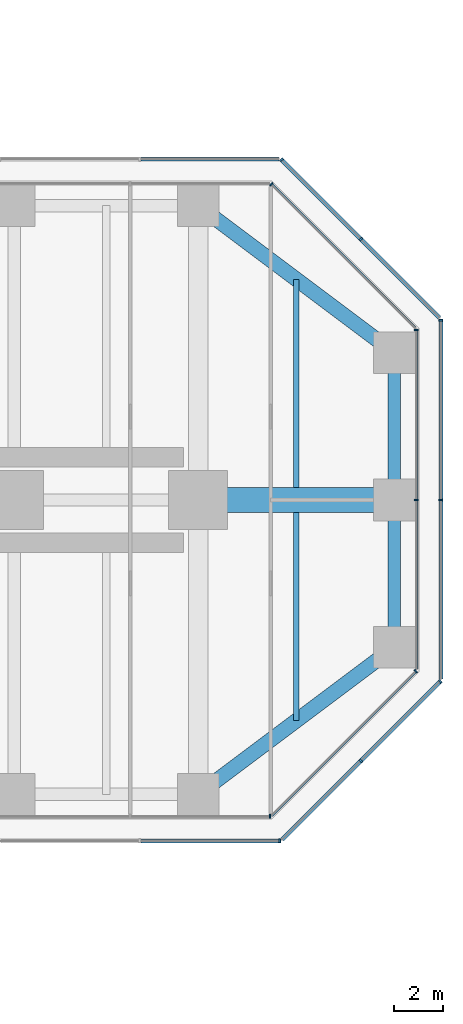
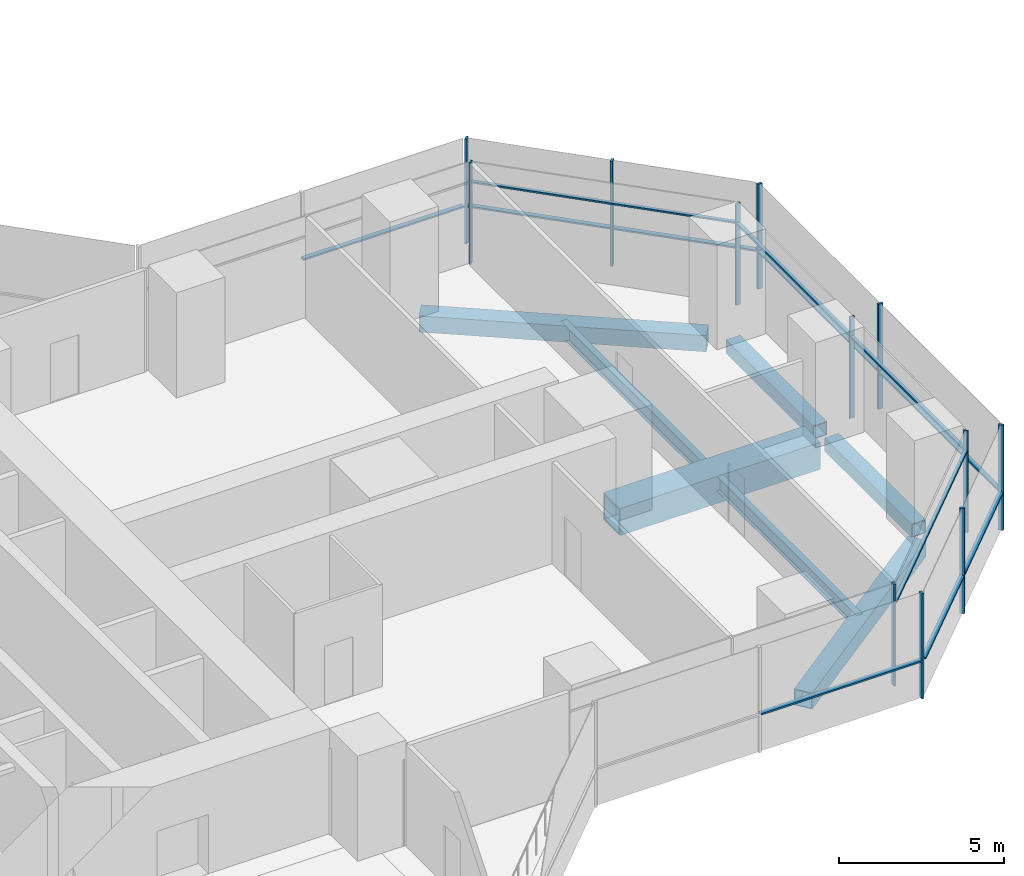
# One storey, part 12 of 22: 24 members, 7 beams, 9 elements without a shape of their own.
"""IFC4 building model written with IfcOpenShell, lengths in metres."""

from ifc_helpers import new_model, si_unit, direction, frame, origin, origin_2d, place, context, subcontext, project, spatial, rectangle, hollow_rectangle, i_section, extrude, material, material_profile, profile_set, type_object, element, aggregate, save


model = new_model("IFC4")

# Units and contexts
model_context = context("Model", 3, precision=1e-05, world=origin(), true_north=direction((0.0, 1.0)))
body_context = subcontext(model_context, "Body", "Model", "MODEL_VIEW")
ifc_project = project(units=[si_unit("LENGTHUNIT", "METRE"), si_unit("AREAUNIT", "SQUARE_METRE"), si_unit("VOLUMEUNIT", "CUBIC_METRE"), si_unit("PLANEANGLEUNIT", "RADIAN"), si_unit("MASSUNIT", "GRAM", prefix="KILO")], contexts=[model_context])

# Site, building, storey
site_placement = place(None, origin())
site = spatial("IfcSite", under=ifc_project, at=site_placement, CompositionType="ELEMENT")
building_placement = place(site_placement, origin())
building = spatial("IfcBuilding", under=site, at=building_placement, Name="Mizan Broadcast Tower", CompositionType="ELEMENT")
storey_placement = place(building_placement, frame((0.0, 0.0, 105.89990234375)))
storey = spatial("IfcBuildingStorey", under=building, at=storey_placement, Name="L23", CompositionType="ELEMENT", Elevation=105.89990234375)

# Beams
ifc_material_1 = material(Name="Steel S355", Category="steel")
ifc_material_profile_1 = material_profile(ifc_material_1, hollow_rectangle(XDim=0.5, YDim=0.5, WallThickness=0.030029296875, at=origin_2d()), Name="BOX 500x500x30")
ifc_profile_set_1 = profile_set([ifc_material_profile_1], Name="Steel S355")
beam_type_1 = type_object("IfcBeamType", Name="EDGE BEAM BOX 500x500x30", PredefinedType="SPANDREL", material=ifc_profile_set_1)
for number, where, z_axis, x_axis, name in (
    (1, (35.0, -5.639892578125, -0.3798828125), (0.0, 1.0, 0.0), (-1.0, 0.0, 0.0), "Edge beam BOX 500x500x30 L23 east arm"),
    (2, (35.0, 5.639892578125, -0.3798828125), (0.0, -1.0, 0.0), (1.0, 0.0, 0.0), "Edge beam BOX 500x500x30 L23 east arm"),
):
    element("IfcBeam", number, at=place(storey_placement, frame(where, z_axis=z_axis, x_axis=x_axis)), inside=storey, type_object=beam_type_1, Name=name, PredefinedType="SPANDREL", context=body_context, shape_type="SweptSolid", body=[
        extrude(hollow_rectangle(XDim=0.5, YDim=0.5, WallThickness=0.030029296875, at=origin_2d()), origin(), (0.0, 0.0, 1.0), 5.27978515625),
    ])
ifc_material_2 = material(Name="Steel S355", Category="steel")
ifc_material_profile_2 = material_profile(ifc_material_2, hollow_rectangle(XDim=0.60009765625, YDim=0.60009765625, WallThickness=0.030029296875, at=origin_2d()), Name="BOX 600x600x30")
ifc_profile_set_2 = profile_set([ifc_material_profile_2], Name="Steel S355")
beam_type_2 = type_object("IfcBeamType", Name="EDGE BEAM BOX 600x600x30", PredefinedType="SPANDREL", material=ifc_profile_set_2)
for number, where, z_axis, x_axis, name in (
    (3, (27.47998046875, -11.639892578125, -0.429931640625), (0.800013316712, 0.599982243973, 0.0), (-0.599982243973, 0.800013316712, 0.0), "Edge beam BOX 600x600x30 L23 east arm"),
    (4, (27.47998046875, 11.639892578125, -0.429931640625), (0.800013316712, -0.599982243973, 0.0), (0.599982243973, 0.800013316712, 0.0), "Edge beam BOX 600x600x30 L23 east arm"),
):
    element("IfcBeam", number, at=place(storey_placement, frame(where, z_axis=z_axis, x_axis=x_axis)), inside=storey, type_object=beam_type_2, Name=name, PredefinedType="SPANDREL", context=body_context, shape_type="SweptSolid", body=[
        extrude(hollow_rectangle(XDim=0.60009765625, YDim=0.60009765625, WallThickness=0.030029296875, at=origin_2d()), origin(), (0.0, 0.0, 1.0), 8.7998046875),
    ])
ifc_material_3 = material(Name="Steel S460", Category="steel")
ifc_material_profile_3 = material_profile(ifc_material_3, hollow_rectangle(XDim=1.0, YDim=1.0, WallThickness=0.06005859375, at=origin_2d()), Name="BOX 1000x1000x60")
ifc_profile_set_3 = profile_set([ifc_material_profile_3], Name="Steel S460")
beam_type_3 = type_object("IfcBeamType", Name="GIRDER BOX 1000x1000x60", PredefinedType="BEAM", material=ifc_profile_set_3)
beam_placement = place(storey_placement, frame((27.47998046875, 0.0, -0.6298828125), z_axis=(1.0, 0.0, 0.0), x_axis=(0.0, 1.0, 0.0)))
element("IfcBeam", 5, at=beam_placement, inside=storey, type_object=beam_type_3, Name="Girder BOX 1000x1000x60 L23 east arm", PredefinedType="BEAM", context=body_context, shape_type="SweptSolid", body=[
    extrude(hollow_rectangle(XDim=1.0, YDim=1.0, WallThickness=0.06005859375, at=origin_2d()), origin(), (0.0, 0.0, 1.0), 7.0400390625),
])

# Curtain wall, member
ifc_material_4 = material(Name="Aluminium framed glazing", Category="aluminium")
curtain_wall_type_1 = type_object("IfcCurtainWallType", Name="INNER SKIN LOW ZONE", PredefinedType="USERDEFINED", material=ifc_material_4)
curtain_wall_1_placement = place(storey_placement, origin())
curtain_wall_1 = element("IfcCurtainWall", 6, at=curtain_wall_1_placement, inside=storey, type_object=curtain_wall_type_1, Name="Inner skin low zone L23 E side", ObjectType="INNER SKIN LOW ZONE", PredefinedType="USERDEFINED")
ifc_material_5 = material(Name="Aluminium, pale anodised", Category="aluminium")
ifc_material_profile_4 = material_profile(ifc_material_5, rectangle(XDim=0.159912109375, YDim=0.06005859375, at=origin_2d()), Name="MULLION 160x60")
ifc_profile_set_4 = profile_set([ifc_material_profile_4], Name="Aluminium, pale anodised")
member_type_1 = type_object("IfcMemberType", Name="INNER SKIN MULLION 60x160", PredefinedType="MULLION", material=ifc_profile_set_4)
member_1_placement = place(storey_placement, frame((29.928466796875, -12.89990234375, 0.0), z_axis=(0.0, 0.0, 1.0), x_axis=(0.0, 1.0, 0.0)))
member_1 = element("IfcMember", 7, at=member_1_placement, type_object=member_type_1, Name="Inner skin low zone L23 E side mullion 3", PredefinedType="MULLION", context=body_context, shape_type="SweptSolid", body=[
    extrude(rectangle(XDim=0.159912109375, YDim=0.06005859375, at=origin_2d()), origin(), (0.0, 0.0, 1.0), 3.77001953125),
])
aggregate(curtain_wall_1, [member_1])

curtain_wall_2_placement = place(storey_placement, origin())
curtain_wall_2 = element("IfcCurtainWall", 8, at=curtain_wall_2_placement, inside=storey, type_object=curtain_wall_type_1, Name="Inner skin low zone L23 E chamfer", ObjectType="INNER SKIN LOW ZONE", PredefinedType="USERDEFINED")
member_2_placement = place(storey_placement, frame((35.87890625, -6.979736328125, 0.0), z_axis=(0.0, 0.0, 1.0), x_axis=(-0.707106781187, 0.707106781187, 0.0)))
member_2 = element("IfcMember", 9, at=member_2_placement, type_object=member_type_1, Name="Inner skin low zone L23 E chamfer mullion 2", PredefinedType="MULLION", context=body_context, shape_type="SweptSolid", body=[
    extrude(rectangle(XDim=0.159912109375, YDim=0.06005859375, at=origin_2d()), origin(), (0.0, 0.0, 1.0), 3.77001953125),
])

# Curtain wall, members
curtain_wall_3_placement = place(storey_placement, origin())
curtain_wall_3 = element("IfcCurtainWall", 10, at=curtain_wall_3_placement, inside=storey, type_object=curtain_wall_type_1, Name="Inner skin low zone L23 E end", ObjectType="INNER SKIN LOW ZONE", PredefinedType="USERDEFINED")
member_3_placement = place(storey_placement, frame((35.89990234375, 0.0, 0.0), z_axis=(0.0, 0.0, 1.0), x_axis=(-1.0, 0.0, 0.0)))
member_3 = element("IfcMember", 11, at=member_3_placement, type_object=member_type_1, Name="Inner skin low zone L23 E end mullion 2", PredefinedType="MULLION", context=body_context, shape_type="SweptSolid", body=[
    extrude(rectangle(XDim=0.159912109375, YDim=0.06005859375, at=origin_2d()), origin(), (0.0, 0.0, 1.0), 3.77001953125),
])
member_4_placement = place(storey_placement, frame((35.89990234375, 6.928466796875, 0.0), z_axis=(0.0, 0.0, 1.0), x_axis=(-1.0, 0.0, 0.0)))
member_4 = element("IfcMember", 12, at=member_4_placement, type_object=member_type_1, Name="Inner skin low zone L23 E end mullion 3", PredefinedType="MULLION", context=body_context, shape_type="SweptSolid", body=[
    extrude(rectangle(XDim=0.159912109375, YDim=0.06005859375, at=origin_2d()), origin(), (0.0, 0.0, 1.0), 3.77001953125),
])

# Curtain wall, member
curtain_wall_4_placement = place(storey_placement, origin())
curtain_wall_4 = element("IfcCurtainWall", 13, at=curtain_wall_4_placement, inside=storey, type_object=curtain_wall_type_1, Name="Inner skin low zone L23 E chamfer", ObjectType="INNER SKIN LOW ZONE", PredefinedType="USERDEFINED")
member_5_placement = place(storey_placement, frame((29.979736328125, 12.87890625, 0.0), z_axis=(0.0, 0.0, 1.0), x_axis=(-0.707106781187, -0.707106781187, 0.0)))
member_5 = element("IfcMember", 14, at=member_5_placement, type_object=member_type_1, Name="Inner skin low zone L23 E chamfer mullion 2", PredefinedType="MULLION", context=body_context, shape_type="SweptSolid", body=[
    extrude(rectangle(XDim=0.159912109375, YDim=0.06005859375, at=origin_2d()), origin(), (0.0, 0.0, 1.0), 3.77001953125),
])

# Member
ifc_material_6 = material(Name="Aluminium, pale anodised", Category="aluminium")
ifc_material_profile_5 = material_profile(ifc_material_6, rectangle(XDim=0.1201171875, YDim=0.06005859375, at=origin_2d()), Name="TRANSOM 120x60")
ifc_profile_set_5 = profile_set([ifc_material_profile_5], Name="Aluminium, pale anodised")
member_type_2 = type_object("IfcMemberType", Name="INNER SKIN TRANSOM 60x120", PredefinedType="USERDEFINED", material=ifc_profile_set_5)
member_6_placement = place(storey_placement, frame((30.0009765625, -12.857666015625, 3.030029296875), z_axis=(0.707106781187, 0.707106781187, 0.0), x_axis=(-0.707106781187, 0.707106781187, 0.0)))
member_6 = element("IfcMember", 15, at=member_6_placement, type_object=member_type_2, Name="Inner skin low zone L23 E chamfer transom 1.1", ObjectType="TRANSOM", PredefinedType="USERDEFINED", context=body_context, shape_type="SweptSolid", body=[
    extrude(rectangle(XDim=0.1201171875, YDim=0.06005859375, at=origin_2d()), origin(), (0.0, 0.0, 1.0), 8.28271484375),
])

aggregate(curtain_wall_2, [member_2, member_6])

member_7_placement = place(storey_placement, frame((35.89990234375, -6.898681640625, 3.030029296875), z_axis=(0.0, 1.0, 0.0), x_axis=(-1.0, 0.0, 0.0)))
member_7 = element("IfcMember", 16, at=member_7_placement, type_object=member_type_2, Name="Inner skin low zone L23 E end transom 1.1", ObjectType="TRANSOM", PredefinedType="USERDEFINED", context=body_context, shape_type="SweptSolid", body=[
    extrude(rectangle(XDim=0.1201171875, YDim=0.06005859375, at=origin_2d()), origin(), (0.0, 0.0, 1.0), 6.86865234375),
])

member_8_placement = place(storey_placement, frame((35.89990234375, 0.030029296875, 3.030029296875), z_axis=(0.0, 1.0, 0.0), x_axis=(-1.0, 0.0, 0.0)))
member_8 = element("IfcMember", 17, at=member_8_placement, type_object=member_type_2, Name="Inner skin low zone L23 E end transom 2.1", ObjectType="TRANSOM", PredefinedType="USERDEFINED", context=body_context, shape_type="SweptSolid", body=[
    extrude(rectangle(XDim=0.1201171875, YDim=0.06005859375, at=origin_2d()), origin(), (0.0, 0.0, 1.0), 6.86865234375),
])

aggregate(curtain_wall_3, [member_3, member_4, member_7, member_8])

member_9_placement = place(storey_placement, frame((35.857666015625, 7.0009765625, 3.030029296875), z_axis=(-0.707106781187, 0.707106781187, 0.0), x_axis=(-0.707106781187, -0.707106781187, 0.0)))
member_9 = element("IfcMember", 18, at=member_9_placement, type_object=member_type_2, Name="Inner skin low zone L23 E chamfer transom 1.1", ObjectType="TRANSOM", PredefinedType="USERDEFINED", context=body_context, shape_type="SweptSolid", body=[
    extrude(rectangle(XDim=0.1201171875, YDim=0.06005859375, at=origin_2d()), origin(), (0.0, 0.0, 1.0), 8.28271484375),
])

aggregate(curtain_wall_4, [member_5, member_9])

# Curtain wall, members
ifc_material_7 = material(Name="Aluminium framed glazing", Category="aluminium")
curtain_wall_type_2 = type_object("IfcCurtainWallType", Name="OUTER SKIN", PredefinedType="USERDEFINED", material=ifc_material_7)
curtain_wall_5_placement = place(storey_placement, origin())
curtain_wall_5 = element("IfcCurtainWall", 19, at=curtain_wall_5_placement, inside=storey, type_object=curtain_wall_type_2, Name="Outer skin L23 E chamfer", ObjectType="OUTER SKIN", PredefinedType="USERDEFINED")
ifc_material_8 = material(Name="Aluminium, pale anodised", Category="aluminium")
ifc_material_profile_6 = material_profile(ifc_material_8, rectangle(XDim=0.159912109375, YDim=0.080078125, at=origin_2d()), Name="MULLION 160x80")
ifc_profile_set_6 = profile_set([ifc_material_profile_6], Name="Aluminium, pale anodised")
member_type_3 = type_object("IfcMemberType", Name="OUTER SKIN MULLION 80x160", PredefinedType="MULLION", material=ifc_profile_set_6)
member_10_placement = place(storey_placement, frame((33.636474609375, -10.636474609375, 0.0), z_axis=(0.0, 0.0, 1.0), x_axis=(-0.707106781187, 0.707106781187, 0.0)))
member_10 = element("IfcMember", 20, at=member_10_placement, type_object=member_type_3, Name="Outer skin L23 E chamfer mullion 2", PredefinedType="MULLION", context=body_context, shape_type="SweptSolid", body=[
    extrude(rectangle(XDim=0.159912109375, YDim=0.080078125, at=origin_2d()), origin(), (0.0, 0.0, 1.0), 3.900146484375),
])
member_11_placement = place(storey_placement, frame((36.871826171875, -7.401123046875, 0.0), z_axis=(0.0, 0.0, 1.0), x_axis=(-0.707106781187, 0.707106781187, 0.0)))
member_11 = element("IfcMember", 21, at=member_11_placement, type_object=member_type_3, Name="Outer skin L23 E chamfer mullion 3", PredefinedType="MULLION", context=body_context, shape_type="SweptSolid", body=[
    extrude(rectangle(XDim=0.159912109375, YDim=0.080078125, at=origin_2d()), origin(), (0.0, 0.0, 1.0), 3.900146484375),
])

curtain_wall_6_placement = place(storey_placement, origin())
curtain_wall_6 = element("IfcCurtainWall", 22, at=curtain_wall_6_placement, inside=storey, type_object=curtain_wall_type_2, Name="Outer skin L23 E end", ObjectType="OUTER SKIN", PredefinedType="USERDEFINED")
member_12_placement = place(storey_placement, frame((36.89990234375, 0.0, 0.0), z_axis=(0.0, 0.0, 1.0), x_axis=(-1.0, 0.0, 0.0)))
member_12 = element("IfcMember", 23, at=member_12_placement, type_object=member_type_3, Name="Outer skin L23 E end mullion 2", PredefinedType="MULLION", context=body_context, shape_type="SweptSolid", body=[
    extrude(rectangle(XDim=0.159912109375, YDim=0.080078125, at=origin_2d()), origin(), (0.0, 0.0, 1.0), 3.900146484375),
])
member_13_placement = place(storey_placement, frame((36.89990234375, 7.332763671875, 0.0), z_axis=(0.0, 0.0, 1.0), x_axis=(-1.0, 0.0, 0.0)))
member_13 = element("IfcMember", 24, at=member_13_placement, type_object=member_type_3, Name="Outer skin L23 E end mullion 3", PredefinedType="MULLION", context=body_context, shape_type="SweptSolid", body=[
    extrude(rectangle(XDim=0.159912109375, YDim=0.080078125, at=origin_2d()), origin(), (0.0, 0.0, 1.0), 3.900146484375),
])

curtain_wall_7_placement = place(storey_placement, origin())
curtain_wall_7 = element("IfcCurtainWall", 25, at=curtain_wall_7_placement, inside=storey, type_object=curtain_wall_type_2, Name="Outer skin L23 E chamfer", ObjectType="OUTER SKIN", PredefinedType="USERDEFINED")
member_14_placement = place(storey_placement, frame((33.636474609375, 10.636474609375, 0.0), z_axis=(0.0, 0.0, 1.0), x_axis=(-0.707106781187, -0.707106781187, 0.0)))
member_14 = element("IfcMember", 26, at=member_14_placement, type_object=member_type_3, Name="Outer skin L23 E chamfer mullion 2", PredefinedType="MULLION", context=body_context, shape_type="SweptSolid", body=[
    extrude(rectangle(XDim=0.159912109375, YDim=0.080078125, at=origin_2d()), origin(), (0.0, 0.0, 1.0), 3.900146484375),
])
member_15_placement = place(storey_placement, frame((30.401123046875, 13.871826171875, 0.0), z_axis=(0.0, 0.0, 1.0), x_axis=(-0.707106781187, -0.707106781187, 0.0)))
member_15 = element("IfcMember", 27, at=member_15_placement, type_object=member_type_3, Name="Outer skin L23 E chamfer mullion 3", PredefinedType="MULLION", context=body_context, shape_type="SweptSolid", body=[
    extrude(rectangle(XDim=0.159912109375, YDim=0.080078125, at=origin_2d()), origin(), (0.0, 0.0, 1.0), 3.900146484375),
])

# Curtain wall, member
curtain_wall_8_placement = place(storey_placement, origin())
curtain_wall_8 = element("IfcCurtainWall", 28, at=curtain_wall_8_placement, inside=storey, type_object=curtain_wall_type_2, Name="Outer skin L23 E side", ObjectType="OUTER SKIN", PredefinedType="USERDEFINED")
member_16_placement = place(storey_placement, frame((30.332763671875, -13.89990234375, 0.0), z_axis=(0.0, 0.0, 1.0), x_axis=(0.0, 1.0, 0.0)))
member_16 = element("IfcMember", 29, at=member_16_placement, type_object=member_type_3, Name="Outer skin L23 E side mullion 3", PredefinedType="MULLION", context=body_context, shape_type="SweptSolid", body=[
    extrude(rectangle(XDim=0.159912109375, YDim=0.080078125, at=origin_2d()), origin(), (0.0, 0.0, 1.0), 3.900146484375),
])

# Member
ifc_material_9 = material(Name="Aluminium, pale anodised", Category="aluminium")
ifc_material_profile_7 = material_profile(ifc_material_9, rectangle(XDim=0.159912109375, YDim=0.06005859375, at=origin_2d()), Name="TRANSOM 160x60")
ifc_profile_set_7 = profile_set([ifc_material_profile_7], Name="Aluminium, pale anodised")
member_type_4 = type_object("IfcMemberType", Name="OUTER SKIN TRANSOM 60x160", PredefinedType="USERDEFINED", material=ifc_profile_set_7)
member_17_placement = place(storey_placement, frame((30.429443359375, -13.843505859375, 1.400146484375), z_axis=(0.707106781187, 0.707106781187, 0.0), x_axis=(-0.707106781187, 0.707106781187, 0.0)))
member_17 = element("IfcMember", 30, at=member_17_placement, type_object=member_type_4, Name="Outer skin L23 E chamfer transom 1.1", ObjectType="TRANSOM", PredefinedType="USERDEFINED", context=body_context, shape_type="SweptSolid", body=[
    extrude(rectangle(XDim=0.159912109375, YDim=0.06005859375, at=origin_2d()), origin(), (0.0, 0.0, 1.0), 4.495361328125),
])

member_18_placement = place(storey_placement, frame((33.664794921875, -10.608154296875, 1.400146484375), z_axis=(0.707106781187, 0.707106781187, 0.0), x_axis=(-0.707106781187, 0.707106781187, 0.0)))
member_18 = element("IfcMember", 31, at=member_18_placement, type_object=member_type_4, Name="Outer skin L23 E chamfer transom 2.1", ObjectType="TRANSOM", PredefinedType="USERDEFINED", context=body_context, shape_type="SweptSolid", body=[
    extrude(rectangle(XDim=0.159912109375, YDim=0.06005859375, at=origin_2d()), origin(), (0.0, 0.0, 1.0), 4.495361328125),
])

aggregate(curtain_wall_5, [member_10, member_11, member_17, member_18])

member_19_placement = place(storey_placement, frame((36.89990234375, -7.292724609375, 1.400146484375), z_axis=(0.0, 1.0, 0.0), x_axis=(-1.0, 0.0, 0.0)))
member_19 = element("IfcMember", 32, at=member_19_placement, type_object=member_type_4, Name="Outer skin L23 E end transom 1.1", ObjectType="TRANSOM", PredefinedType="USERDEFINED", context=body_context, shape_type="SweptSolid", body=[
    extrude(rectangle(XDim=0.159912109375, YDim=0.06005859375, at=origin_2d()), origin(), (0.0, 0.0, 1.0), 7.252685546875),
])

member_20_placement = place(storey_placement, frame((36.89990234375, 0.0400390625, 1.400146484375), z_axis=(0.0, 1.0, 0.0), x_axis=(-1.0, 0.0, 0.0)))
member_20 = element("IfcMember", 33, at=member_20_placement, type_object=member_type_4, Name="Outer skin L23 E end transom 2.1", ObjectType="TRANSOM", PredefinedType="USERDEFINED", context=body_context, shape_type="SweptSolid", body=[
    extrude(rectangle(XDim=0.159912109375, YDim=0.06005859375, at=origin_2d()), origin(), (0.0, 0.0, 1.0), 7.252685546875),
])

aggregate(curtain_wall_6, [member_12, member_13, member_19, member_20])

member_21_placement = place(storey_placement, frame((36.843505859375, 7.429443359375, 1.400146484375), z_axis=(-0.707106781187, 0.707106781187, 0.0), x_axis=(-0.707106781187, -0.707106781187, 0.0)))
member_21 = element("IfcMember", 34, at=member_21_placement, type_object=member_type_4, Name="Outer skin L23 E chamfer transom 1.1", ObjectType="TRANSOM", PredefinedType="USERDEFINED", context=body_context, shape_type="SweptSolid", body=[
    extrude(rectangle(XDim=0.159912109375, YDim=0.06005859375, at=origin_2d()), origin(), (0.0, 0.0, 1.0), 4.495361328125),
])

member_22_placement = place(storey_placement, frame((33.608154296875, 10.664794921875, 1.400146484375), z_axis=(-0.707106781187, 0.707106781187, 0.0), x_axis=(-0.707106781187, -0.707106781187, 0.0)))
member_22 = element("IfcMember", 35, at=member_22_placement, type_object=member_type_4, Name="Outer skin L23 E chamfer transom 2.1", ObjectType="TRANSOM", PredefinedType="USERDEFINED", context=body_context, shape_type="SweptSolid", body=[
    extrude(rectangle(XDim=0.159912109375, YDim=0.06005859375, at=origin_2d()), origin(), (0.0, 0.0, 1.0), 4.495361328125),
])

aggregate(curtain_wall_7, [member_14, member_15, member_21, member_22])

# Curtain wall, member
curtain_wall_9_placement = place(storey_placement, origin())
curtain_wall_9 = element("IfcCurtainWall", 36, at=curtain_wall_9_placement, inside=storey, type_object=curtain_wall_type_2, Name="Outer skin L23 E side", ObjectType="OUTER SKIN", PredefinedType="USERDEFINED")
member_23_placement = place(storey_placement, frame((30.292724609375, 13.89990234375, 1.400146484375), z_axis=(-1.0, 0.0, 0.0), x_axis=(0.0, -1.0, 0.0)))
member_23 = element("IfcMember", 37, at=member_23_placement, type_object=member_type_4, Name="Outer skin L23 E side transom 1.1", ObjectType="TRANSOM", PredefinedType="USERDEFINED", context=body_context, shape_type="SweptSolid", body=[
    extrude(rectangle(XDim=0.159912109375, YDim=0.06005859375, at=origin_2d()), origin(), (0.0, 0.0, 1.0), 5.6298828125),
])
aggregate(curtain_wall_9, [member_23])

# Member
member_24_placement = place(storey_placement, frame((24.662841796875, -13.89990234375, 1.400146484375), z_axis=(1.0, 0.0, 0.0), x_axis=(0.0, 1.0, 0.0)))
member_24 = element("IfcMember", 38, at=member_24_placement, type_object=member_type_4, Name="Outer skin L23 E side transom 2.1", ObjectType="TRANSOM", PredefinedType="USERDEFINED", context=body_context, shape_type="SweptSolid", body=[
    extrude(rectangle(XDim=0.159912109375, YDim=0.06005859375, at=origin_2d()), origin(), (0.0, 0.0, 1.0), 5.6298828125),
])

aggregate(curtain_wall_8, [member_16, member_24])

# Beams
ifc_material_10 = material(Name="Steel S355", Category="steel")
ifc_material_profile_8 = material_profile(ifc_material_10, i_section(OverallWidth=0.2099609375, OverallDepth=0.550048828125, WebThickness=0.010986328125, FlangeThickness=0.01708984375, FilletRadius=0.02392578125, at=origin_2d()), Name="IPE 550")
ifc_profile_set_8 = profile_set([ifc_material_profile_8], Name="Steel S355")
beam_type_4 = type_object("IfcBeamType", Name="SECONDARY BEAM IPE 550", PredefinedType="JOIST", material=ifc_profile_set_8)
for number, where, z_axis, x_axis, name in (
    (39, (31.0, -9.0, -0.40478515625), (0.0, 1.0, 0.0), (-1.0, 0.0, 0.0), "Secondary beam IPE 550 L23 east arm"),
    (40, (31.0, 9.0, -0.40478515625), (0.0, -1.0, 0.0), (1.0, 0.0, 0.0), "Secondary beam IPE 550 L23 east arm"),
):
    element("IfcBeam", number, at=place(storey_placement, frame(where, z_axis=z_axis, x_axis=x_axis)), inside=storey, type_object=beam_type_4, Name=name, PredefinedType="JOIST", context=body_context, shape_type="SweptSolid", body=[
        extrude(i_section(OverallWidth=0.2099609375, OverallDepth=0.550048828125, WebThickness=0.010986328125, FlangeThickness=0.01708984375, FilletRadius=0.02392578125, at=origin_2d()), origin(), (0.0, 0.0, 1.0), 8.5),
    ])

save(model, "model.ifc")
